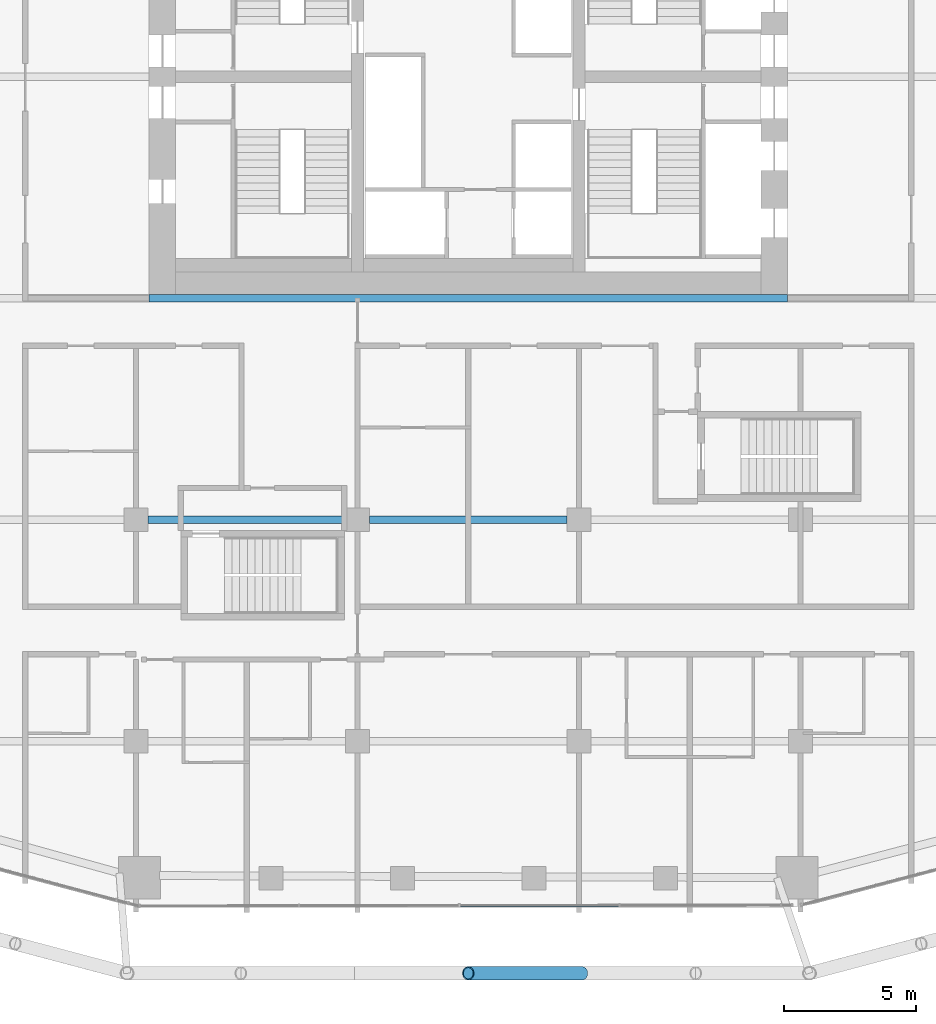
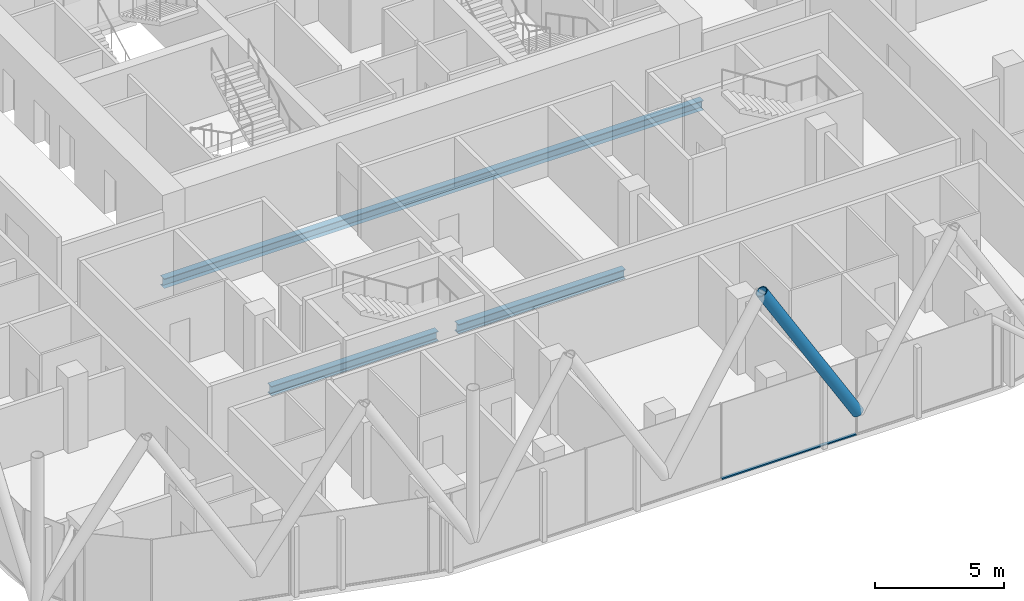
# One storey, part 5 of 33: 3 beams, 2 members, 1 element without a shape of its own.
"""IFC4 building model written with IfcOpenShell, lengths in metres."""

from ifc_helpers import new_model, si_unit, direction, frame, origin, origin_2d, place, context, subcontext, project, spatial, rectangle, hollow_circle, i_section, extrude, material, layer, layer_set, material_profile, profile_set, type_object, element, aggregate, save


model = new_model("IFC4")

# Units and contexts
model_context = context("Model", 3, precision=1e-05, world=origin(), true_north=direction((0.0, 1.0)))
body_context = subcontext(model_context, "Body", "Model", "MODEL_VIEW")
ifc_project = project(units=[si_unit("LENGTHUNIT", "METRE"), si_unit("AREAUNIT", "SQUARE_METRE"), si_unit("VOLUMEUNIT", "CUBIC_METRE"), si_unit("PLANEANGLEUNIT", "RADIAN"), si_unit("MASSUNIT", "GRAM", prefix="KILO")], contexts=[model_context])

# Site, building, storey
site_placement = place(None, origin())
site = spatial("IfcSite", under=ifc_project, at=site_placement, CompositionType="ELEMENT")
building_placement = place(site_placement, origin())
building = spatial("IfcBuilding", under=site, at=building_placement, Name="Marenta Gate Hotel Tower", CompositionType="ELEMENT")
storey_placement = place(building_placement, frame((0.0, 0.0, 122.89990234375)))
storey = spatial("IfcBuildingStorey", under=building, at=storey_placement, Name="L27", CompositionType="ELEMENT", Elevation=122.89990234375)

# Member
ifc_material_1 = material(Name="Steel S355J2W", Category="steel")
ifc_material_profile_1 = material_profile(ifc_material_1, hollow_circle(Radius=0.25390625, WallThickness=0.0400390625, at=origin_2d()), Name="CHS 508x40")
ifc_profile_set_1 = profile_set([ifc_material_profile_1], Name="Steel S355J2W")
member_type_1 = type_object("IfcMemberType", Name="Diagrid diagonal Z2 CHS 508x40", PredefinedType="BRACE", material=ifc_profile_set_1)
member_1_placement = place(storey_placement, frame((4.31298828125, -25.60009765625, 3.14013671875), z_axis=(-0.513883902774, 0.0, 0.857859740558), x_axis=(0.0, -1.0, 0.0)))
element("IfcMember", 1, at=member_1_placement, inside=storey, type_object=member_type_1, Name="L27-DG-17", PredefinedType="BRACE", context=body_context, shape_type="SweptSolid", body=[
    extrude(hollow_circle(Radius=0.25390625, WallThickness=0.0400390625, at=origin_2d()), origin(), (0.0, 0.0, 1.0), 8.392822265625),
])

# Beams
ifc_material_2 = material(Name="Steel S355", Category="steel")
ifc_material_profile_2 = material_profile(ifc_material_2, i_section(OverallWidth=0.300048828125, OverallDepth=0.449951171875, WebThickness=0.013916015625, FlangeThickness=0.02587890625, FilletRadius=0.027099609375, at=origin_2d()), Name="HEB 450")
ifc_profile_set_2 = profile_set([ifc_material_profile_2], Name="Steel S355")
beam_type = type_object("IfcBeamType", Name="Girder HEB 450", PredefinedType="BEAM", material=ifc_profile_set_2)
for number, where, z_axis, x_axis, name in (
    (2, (-12.14990234375, -8.39990234375, -0.48486328125), (1.0, 0.0, 0.0), (0.0, 1.0, 0.0), "L27-GD-10"),
    (3, (-3.75, -8.39990234375, -0.48486328125), (1.0, 0.0, 0.0), (0.0, 1.0, 0.0), "L27-GD-11"),
):
    element("IfcBeam", number, at=place(storey_placement, frame(where, z_axis=z_axis, x_axis=x_axis)), inside=storey, type_object=beam_type, Name=name, PredefinedType="BEAM", context=body_context, shape_type="SweptSolid", body=[
        extrude(i_section(OverallWidth=0.300048828125, OverallDepth=0.449951171875, WebThickness=0.013916015625, FlangeThickness=0.02587890625, FilletRadius=0.027099609375, at=origin_2d()), origin(), (0.0, 0.0, 1.0), 7.5),
    ])
beam_placement = place(storey_placement, frame((-12.10009765625, 0.0, -0.48486328125), z_axis=(1.0, 0.0, 0.0), x_axis=(0.0, 1.0, 0.0)))
element("IfcBeam", 4, at=beam_placement, inside=storey, type_object=beam_type, Name="L27-GD-17", PredefinedType="BEAM", context=body_context, shape_type="SweptSolid", body=[
    extrude(i_section(OverallWidth=0.300048828125, OverallDepth=0.449951171875, WebThickness=0.013916015625, FlangeThickness=0.02587890625, FilletRadius=0.027099609375, at=origin_2d()), origin(), (0.0, 0.0, 1.0), 24.2001953125),
])

# Curtain wall, member
ifc_material_3 = material(Name="Tinted insulated glass in bronze anodised frame", Category="glass")
ifc_layer = layer(ifc_material_3, 0.1201171875)
ifc_layer_set = layer_set([ifc_layer], Name="Tinted insulated glass in bronze anodised frame")
curtain_wall_type = type_object("IfcCurtainWallType", Name="Tower unitised curtain wall CW1", PredefinedType="NOTDEFINED", material=ifc_layer_set)
curtain_wall_placement = place(storey_placement, origin())
curtain_wall = element("IfcCurtainWall", 5, at=curtain_wall_placement, inside=storey, type_object=curtain_wall_type, Name="CW1 run G12", PredefinedType="NOTDEFINED")
ifc_material_4 = material(Name="Bronze anodised aluminium", Category="aluminium")
ifc_material_profile_3 = material_profile(ifc_material_4, rectangle(XDim=0.1201171875, YDim=0.06005859375, at=origin_2d()), Name="Transom CW1 60x120 bronze anodised aluminium")
ifc_profile_set_3 = profile_set([ifc_material_profile_3], Name="Bronze anodised aluminium")
member_type_2 = type_object("IfcMemberType", Name="Transom CW1 60x120 bronze anodised aluminium", PredefinedType="USERDEFINED", material=ifc_profile_set_3)
member_2_placement = place(storey_placement, frame((-0.31201171875, -23.03076171875, 0.030029296875), z_axis=(0.999999104975, 0.001337927041, 0.0), x_axis=(-0.001337927041, 0.999999104975, 0.0)))
member_2 = element("IfcMember", 6, at=member_2_placement, type_object=member_type_2, Name="CW1 transom 3.1", ObjectType="TRANSOM", PredefinedType="USERDEFINED", context=body_context, shape_type="SweptSolid", body=[
    extrude(rectangle(XDim=0.1201171875, YDim=0.06005859375, at=origin_2d()), origin(), (0.0, 0.0, 1.0), 6.021728515625),
])
aggregate(curtain_wall, [member_2])

save(model, "model.ifc")
